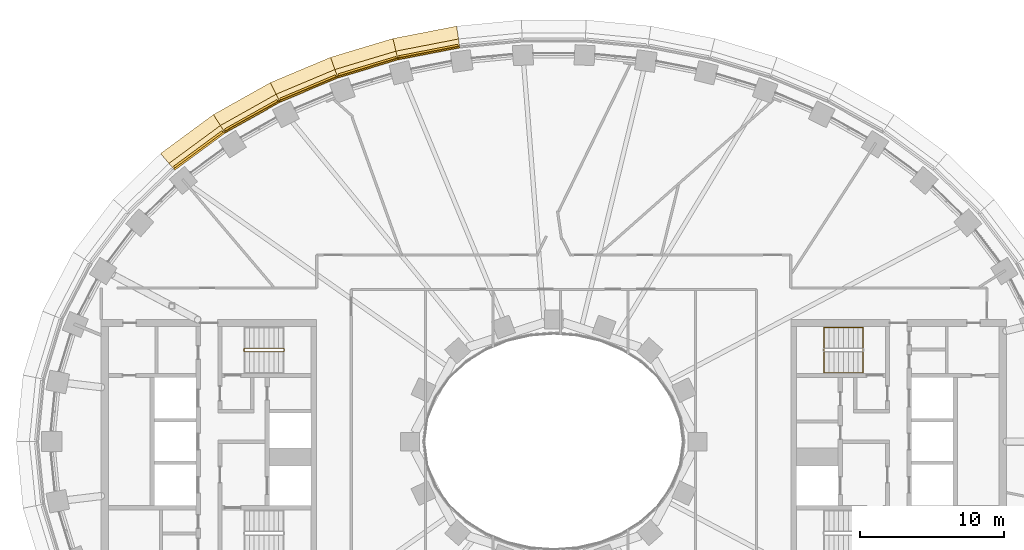
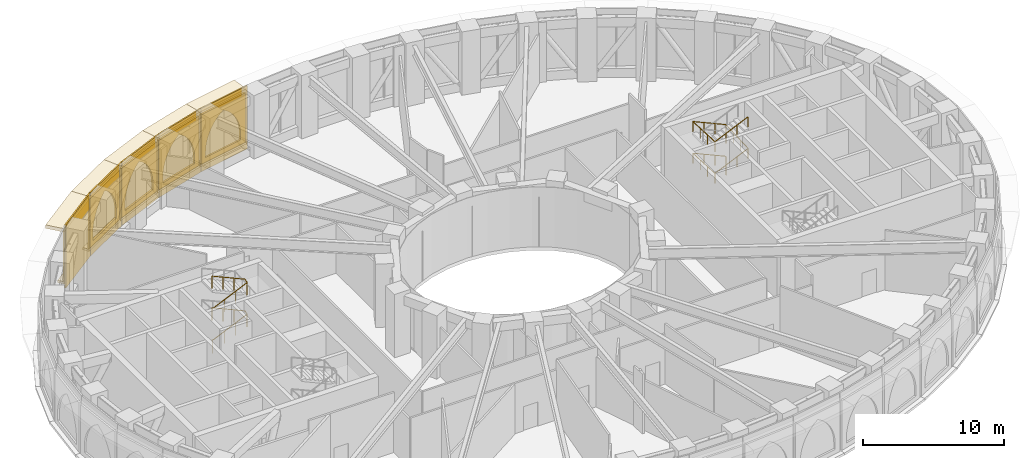
# One storey, part 23 of 25: 20 coverings, 2 railings.
"""IFC4 building model written with IfcOpenShell, lengths in metres."""

from ifc_helpers import new_model, si_unit, direction, frame, origin, origin_2d, place, context, subcontext, project, spatial, polyline, rectangle, outline, extrude, material, layer, layer_set, type_object, element, save


model = new_model("IFC4")

# Units and contexts
model_context = context("Model", 3, precision=1e-05, world=origin(), true_north=direction((0.0, 1.0)))
body_context = subcontext(model_context, "Body", "Model", "MODEL_VIEW")
ifc_project = project(units=[si_unit("LENGTHUNIT", "METRE"), si_unit("AREAUNIT", "SQUARE_METRE"), si_unit("VOLUMEUNIT", "CUBIC_METRE"), si_unit("PLANEANGLEUNIT", "RADIAN"), si_unit("MASSUNIT", "GRAM", prefix="KILO")], contexts=[model_context])

# Site, building, storey
site_placement = place(None, origin())
site = spatial("IfcSite", under=ifc_project, at=site_placement, CompositionType="ELEMENT")
building_placement = place(site_placement, origin())
building = spatial("IfcBuilding", under=site, at=building_placement, Name="Noorbagh Ring Tower", CompositionType="ELEMENT")
storey_placement = place(building_placement, frame((0.0, 0.0, 82.5)))
storey = spatial("IfcBuildingStorey", under=building, at=storey_placement, Name="L18", CompositionType="ELEMENT", Elevation=82.5)

# Railings
ifc_material_1 = material(Name="Stainless steel", Category="steel")
railing_type_1 = type_object("IfcRailingType", Name="CORE-STAIR-GUARD", PredefinedType="GUARDRAIL", material=ifc_material_1)
railing_1_placement = place(storey_placement, frame((-21.580078125, 6.300048828125, 0.0)))
element("IfcRailing", 1, at=railing_1_placement, inside=storey, type_object=railing_type_1, Name="L18 ST1 stair guard", PredefinedType="GUARDRAIL", context=body_context, shape_type="SweptSolid", body=[
    extrude(rectangle(XDim=0.048095703125, YDim=0.048095703125, at=origin_2d()), frame((0.0, 0.0, 1.076171875), z_axis=(0.0, 1.0, 0.0), x_axis=(-1.0, 0.0, 0.0)), (0.0, 0.0, 1.0), 0.14990234375),
    extrude(rectangle(XDim=0.048095703125, YDim=0.048095703125, at=origin_2d()), frame((0.0, 0.14990234375, 1.076171875), z_axis=(0.195046945594, -0.779236333862, 0.595606770449), x_axis=(0.970072785993, 0.242814311512, 0.0)), (0.0, 0.0, 1.0), 0.256591796875),
    extrude(rectangle(XDim=0.048095703125, YDim=0.048095703125, at=origin_2d()), frame((0.050048828125, -0.050048828125, 1.22900390625), z_axis=(0.912149621895, 0.0, 0.409857374312), x_axis=(0.0, 1.0, 0.0)), (0.0, 0.0, 1.0), 2.98193359375),
    extrude(rectangle(XDim=0.048095703125, YDim=0.048095703125, at=origin_2d()), frame((2.77001953125, -0.050048828125, 2.451171875), z_axis=(0.707106781187, 0.707106781187, 0.0), x_axis=(-0.707106781187, 0.707106781187, 0.0)), (0.0, 0.0, 1.0), 0.07080078125),
    extrude(rectangle(XDim=0.048095703125, YDim=0.048095703125, at=origin_2d()), frame((2.820068359375, 0.0, 2.451171875), z_axis=(0.0, 1.0, 0.0), x_axis=(-1.0, 0.0, 0.0)), (0.0, 0.0, 1.0), 0.14990234375),
    extrude(rectangle(XDim=0.048095703125, YDim=0.048095703125, at=origin_2d()), frame((2.820068359375, 0.14990234375, 2.451171875), z_axis=(-0.297155754911, 0.297155754911, 0.90741220768), x_axis=(-0.707106781187, -0.707106781187, 0.0)), (0.0, 0.0, 1.0), 0.16845703125),
    extrude(rectangle(XDim=0.048095703125, YDim=0.048095703125, at=origin_2d()), frame((2.77001953125, 0.199951171875, 2.60400390625), z_axis=(-0.912149621895, 0.0, 0.409857374312), x_axis=(0.0, -1.0, 0.0)), (0.0, 0.0, 1.0), 2.98193359375),
    extrude(rectangle(XDim=0.048095703125, YDim=0.048095703125, at=origin_2d()), frame((0.050048828125, 0.199951171875, 3.826171875), z_axis=(-0.242814311512, -0.970072785993, 0.0), x_axis=(0.970072785993, -0.242814311512, 0.0)), (0.0, 0.0, 1.0), 0.2060546875),
    extrude(rectangle(XDim=0.048095703125, YDim=0.048095703125, at=origin_2d()), frame((0.0, 0.0, 3.826171875), z_axis=(0.0, 1.0, 0.0), x_axis=(-1.0, 0.0, 0.0)), (0.0, 0.0, 1.0), 0.14990234375),
    extrude(rectangle(XDim=0.048095703125, YDim=0.048095703125, at=origin_2d()), frame((0.0, 0.14990234375, 3.826171875), z_axis=(0.195046945594, -0.779236333862, 0.595606770449), x_axis=(0.970072785993, 0.242814311512, 0.0)), (0.0, 0.0, 1.0), 0.256591796875),
    extrude(rectangle(XDim=0.048095703125, YDim=0.048095703125, at=origin_2d()), frame((0.050048828125, -0.050048828125, 3.97900390625), z_axis=(0.912149621895, 0.0, 0.409857374312), x_axis=(0.0, 1.0, 0.0)), (0.0, 0.0, 1.0), 2.98193359375),
    extrude(rectangle(XDim=0.048095703125, YDim=0.048095703125, at=origin_2d()), frame((2.77001953125, -0.050048828125, 5.201171875), z_axis=(0.707106781187, 0.707106781187, 0.0), x_axis=(-0.707106781187, 0.707106781187, 0.0)), (0.0, 0.0, 1.0), 0.07080078125),
    extrude(rectangle(XDim=0.048095703125, YDim=0.048095703125, at=origin_2d()), frame((2.820068359375, 0.0, 5.201171875), z_axis=(0.0, 1.0, 0.0), x_axis=(-1.0, 0.0, 0.0)), (0.0, 0.0, 1.0), 0.14990234375),
    extrude(rectangle(XDim=0.048095703125, YDim=0.048095703125, at=origin_2d()), frame((2.820068359375, 0.14990234375, 5.201171875), z_axis=(-0.297155754911, 0.297155754911, 0.90741220768), x_axis=(-0.707106781187, -0.707106781187, 0.0)), (0.0, 0.0, 1.0), 0.16845703125),
    extrude(rectangle(XDim=0.048095703125, YDim=0.048095703125, at=origin_2d()), frame((2.77001953125, 0.199951171875, 5.35400390625), z_axis=(-0.912149621895, 0.0, 0.409857374312), x_axis=(0.0, -1.0, 0.0)), (0.0, 0.0, 1.0), 2.98193359375),
    extrude(rectangle(XDim=0.0419921875, YDim=0.0419921875, at=origin_2d()), origin(), (0.0, 0.0, 1.0), 1.052001953125),
    extrude(rectangle(XDim=0.0419921875, YDim=0.0419921875, at=origin_2d()), frame((0.956787109375, -0.050048828125, 0.560302734375)), (0.0, 0.0, 1.0), 1.052001953125),
    extrude(rectangle(XDim=0.0419921875, YDim=0.0419921875, at=origin_2d()), frame((1.86328125, -0.050048828125, 0.967529296875)), (0.0, 0.0, 1.0), 1.052001953125),
    extrude(rectangle(XDim=0.0419921875, YDim=0.0419921875, at=origin_2d()), frame((2.77001953125, -0.050048828125, 1.375)), (0.0, 0.0, 1.0), 1.052001953125),
    extrude(rectangle(XDim=0.0419921875, YDim=0.0419921875, at=origin_2d()), frame((1.86328125, 0.199951171875, 1.935302734375)), (0.0, 0.0, 1.0), 1.052001953125),
    extrude(rectangle(XDim=0.0419921875, YDim=0.0419921875, at=origin_2d()), frame((0.956787109375, 0.199951171875, 2.342529296875)), (0.0, 0.0, 1.0), 1.052001953125),
    extrude(rectangle(XDim=0.0419921875, YDim=0.0419921875, at=origin_2d()), frame((0.050048828125, 0.199951171875, 2.75)), (0.0, 0.0, 1.0), 1.052001953125),
    extrude(rectangle(XDim=0.0419921875, YDim=0.0419921875, at=origin_2d()), frame((0.956787109375, -0.050048828125, 3.310302734375)), (0.0, 0.0, 1.0), 1.052001953125),
    extrude(rectangle(XDim=0.0419921875, YDim=0.0419921875, at=origin_2d()), frame((1.86328125, -0.050048828125, 3.717529296875)), (0.0, 0.0, 1.0), 1.052001953125),
    extrude(rectangle(XDim=0.0419921875, YDim=0.0419921875, at=origin_2d()), frame((2.77001953125, -0.050048828125, 4.125)), (0.0, 0.0, 1.0), 1.052001953125),
    extrude(rectangle(XDim=0.0419921875, YDim=0.0419921875, at=origin_2d()), frame((1.86328125, 0.199951171875, 4.685302734375)), (0.0, 0.0, 1.0), 1.052001953125),
    extrude(rectangle(XDim=0.0419921875, YDim=0.0419921875, at=origin_2d()), frame((0.956787109375, 0.199951171875, 5.092529296875)), (0.0, 0.0, 1.0), 1.052001953125),
    extrude(rectangle(XDim=0.0419921875, YDim=0.0419921875, at=origin_2d()), frame((0.050048828125, 0.199951171875, 5.5)), (0.0, 0.0, 1.0), 1.052001953125),
])
ifc_material_2 = material(Name="Stainless steel", Category="steel")
railing_type_2 = type_object("IfcRailingType", Name="CORE-STAIR-HANDRAIL", PredefinedType="HANDRAIL", material=ifc_material_2)
railing_2_placement = place(storey_placement, frame((21.530029296875, 7.949951171875, 0.15283203125)))
element("IfcRailing", 2, at=railing_2_placement, inside=storey, type_object=railing_type_2, Name="L18 ST3 stair handrail", PredefinedType="HANDRAIL", context=body_context, shape_type="SweptSolid", body=[
    extrude(rectangle(XDim=0.048095703125, YDim=0.048095703125, at=origin_2d()), frame((0.0, 0.0, 0.8759765625), z_axis=(-0.912149621895, 0.0, 0.409857374312), x_axis=(0.0, -1.0, 0.0)), (0.0, 0.0, 1.0), 2.98193359375),
    extrude(rectangle(XDim=0.048095703125, YDim=0.048095703125, at=origin_2d()), frame((-2.719970703125, 0.0, 2.09814453125), z_axis=(0.0, -0.998824997948, 0.048462598722), x_axis=(1.0, 0.0, 0.0)), (0.0, 0.0, 1.0), 3.153564453125),
    extrude(rectangle(XDim=0.048095703125, YDim=0.048095703125, at=origin_2d()), frame((-2.719970703125, -3.14990234375, 2.2509765625), z_axis=(0.912149621895, 0.0, 0.409857374312), x_axis=(0.0, 1.0, 0.0)), (0.0, 0.0, 1.0), 2.98193359375),
    extrude(rectangle(XDim=0.048095703125, YDim=0.048095703125, at=origin_2d()), frame((0.0, -3.14990234375, 3.47314453125), z_axis=(0.0, 0.998824997948, 0.048462598722), x_axis=(-1.0, 0.0, 0.0)), (0.0, 0.0, 1.0), 3.153564453125),
    extrude(rectangle(XDim=0.048095703125, YDim=0.048095703125, at=origin_2d()), frame((0.0, 0.0, 3.6259765625), z_axis=(-0.912149621895, 0.0, 0.409857374312), x_axis=(0.0, -1.0, 0.0)), (0.0, 0.0, 1.0), 2.98193359375),
    extrude(rectangle(XDim=0.048095703125, YDim=0.048095703125, at=origin_2d()), frame((-2.719970703125, 0.0, 4.84814453125), z_axis=(0.0, -0.998824997948, 0.048462598722), x_axis=(1.0, 0.0, 0.0)), (0.0, 0.0, 1.0), 3.153564453125),
    extrude(rectangle(XDim=0.048095703125, YDim=0.048095703125, at=origin_2d()), frame((-2.719970703125, -3.14990234375, 5.0009765625), z_axis=(0.912149621895, 0.0, 0.409857374312), x_axis=(0.0, 1.0, 0.0)), (0.0, 0.0, 1.0), 2.98193359375),
    extrude(rectangle(XDim=0.0419921875, YDim=0.0419921875, at=origin_2d()), origin(), (0.0, 0.0, 1.0), 0.851806640625),
    extrude(rectangle(XDim=0.0419921875, YDim=0.0419921875, at=origin_2d()), frame((-0.90673828125, 0.0, 0.407470703125)), (0.0, 0.0, 1.0), 0.851806640625),
    extrude(rectangle(XDim=0.0419921875, YDim=0.0419921875, at=origin_2d()), frame((-1.813232421875, 0.0, 0.814697265625)), (0.0, 0.0, 1.0), 0.851806640625),
    extrude(rectangle(XDim=0.0419921875, YDim=0.0419921875, at=origin_2d()), frame((-2.719970703125, 0.0, 1.22216796875)), (0.0, 0.0, 1.0), 0.851806640625),
    extrude(rectangle(XDim=0.0419921875, YDim=0.0419921875, at=origin_2d()), frame((-2.719970703125, -1.050048828125, 1.273193359375)), (0.0, 0.0, 1.0), 0.851806640625),
    extrude(rectangle(XDim=0.0419921875, YDim=0.0419921875, at=origin_2d()), frame((-2.719970703125, -2.099853515625, 1.323974609375)), (0.0, 0.0, 1.0), 0.851806640625),
    extrude(rectangle(XDim=0.0419921875, YDim=0.0419921875, at=origin_2d()), frame((-2.719970703125, -3.14990234375, 1.375)), (0.0, 0.0, 1.0), 0.851806640625),
    extrude(rectangle(XDim=0.0419921875, YDim=0.0419921875, at=origin_2d()), frame((-1.813232421875, -3.14990234375, 1.782470703125)), (0.0, 0.0, 1.0), 0.851806640625),
    extrude(rectangle(XDim=0.0419921875, YDim=0.0419921875, at=origin_2d()), frame((-0.90673828125, -3.14990234375, 2.189697265625)), (0.0, 0.0, 1.0), 0.851806640625),
    extrude(rectangle(XDim=0.0419921875, YDim=0.0419921875, at=origin_2d()), frame((0.0, -3.14990234375, 2.59716796875)), (0.0, 0.0, 1.0), 0.851806640625),
    extrude(rectangle(XDim=0.0419921875, YDim=0.0419921875, at=origin_2d()), frame((0.0, -2.099853515625, 2.648193359375)), (0.0, 0.0, 1.0), 0.851806640625),
    extrude(rectangle(XDim=0.0419921875, YDim=0.0419921875, at=origin_2d()), frame((0.0, -1.050048828125, 2.698974609375)), (0.0, 0.0, 1.0), 0.851806640625),
    extrude(rectangle(XDim=0.0419921875, YDim=0.0419921875, at=origin_2d()), frame((0.0, 0.0, 2.75)), (0.0, 0.0, 1.0), 0.851806640625),
    extrude(rectangle(XDim=0.0419921875, YDim=0.0419921875, at=origin_2d()), frame((-0.90673828125, 0.0, 3.157470703125)), (0.0, 0.0, 1.0), 0.851806640625),
    extrude(rectangle(XDim=0.0419921875, YDim=0.0419921875, at=origin_2d()), frame((-1.813232421875, 0.0, 3.564697265625)), (0.0, 0.0, 1.0), 0.851806640625),
    extrude(rectangle(XDim=0.0419921875, YDim=0.0419921875, at=origin_2d()), frame((-2.719970703125, 0.0, 3.97216796875)), (0.0, 0.0, 1.0), 0.851806640625),
    extrude(rectangle(XDim=0.0419921875, YDim=0.0419921875, at=origin_2d()), frame((-2.719970703125, -1.050048828125, 4.023193359375)), (0.0, 0.0, 1.0), 0.851806640625),
    extrude(rectangle(XDim=0.0419921875, YDim=0.0419921875, at=origin_2d()), frame((-2.719970703125, -2.099853515625, 4.073974609375)), (0.0, 0.0, 1.0), 0.851806640625),
    extrude(rectangle(XDim=0.0419921875, YDim=0.0419921875, at=origin_2d()), frame((-2.719970703125, -3.14990234375, 4.125)), (0.0, 0.0, 1.0), 0.851806640625),
    extrude(rectangle(XDim=0.0419921875, YDim=0.0419921875, at=origin_2d()), frame((-1.813232421875, -3.14990234375, 4.532470703125)), (0.0, 0.0, 1.0), 0.851806640625),
    extrude(rectangle(XDim=0.0419921875, YDim=0.0419921875, at=origin_2d()), frame((-0.90673828125, -3.14990234375, 4.939697265625)), (0.0, 0.0, 1.0), 0.851806640625),
    extrude(rectangle(XDim=0.0419921875, YDim=0.0419921875, at=origin_2d()), frame((0.0, -3.14990234375, 5.34716796875)), (0.0, 0.0, 1.0), 0.851806640625),
])

# Coverings
ifc_material_3 = material(Name="Aluminium 6063-T6 black anodised", Category="aluminium")
ifc_layer_1 = layer(ifc_material_3, 0.1201171875)
ifc_layer_set_1 = layer_set([ifc_layer_1], Name="Aluminium 6063-T6 black anodised")
covering_type_1 = type_object("IfcCoveringType", Name="ENV-LOUVRE-BAND", PredefinedType="CLADDING", material=ifc_layer_set_1)
covering_1_placement = place(storey_placement, frame((-8.700927734375, 27.053955078125, -0.300048828125), z_axis=(0.0, 0.0, 1.0), x_axis=(-0.981624952922, -0.190820470077, 0.0)))
element("IfcCovering", 3, at=covering_1_placement, inside=storey, type_object=covering_type_1, Name="Louvre screen chord 14", ObjectType="LOUVRE", PredefinedType="CLADDING", context=body_context, shape_type="SweptSolid", body=[
    extrude(rectangle(XDim=4.349853515625, YDim=0.1201171875, at=origin_2d()), origin(), (0.0, 0.0, 1.0), 5.5),
])
covering_2_placement = place(storey_placement, frame((-12.947998046875, 26.0048828125, -0.300048828125), z_axis=(0.0, 0.0, 1.0), x_axis=(-0.957577925467, -0.28817445525, 0.0)))
element("IfcCovering", 4, at=covering_2_placement, inside=storey, type_object=covering_type_1, Name="Louvre screen chord 15", ObjectType="LOUVRE", PredefinedType="CLADDING", context=body_context, shape_type="SweptSolid", body=[
    extrude(rectangle(XDim=4.349609375, YDim=0.1201171875, at=origin_2d()), origin(), (0.0, 0.0, 1.0), 5.5),
])
covering_3_placement = place(storey_placement, frame((-17.0634765625, 24.52490234375, -0.300048828125), z_axis=(0.0, 0.0, 1.0), x_axis=(-0.921811566494, -0.387638279686, 0.0)))
element("IfcCovering", 5, at=covering_3_placement, inside=storey, type_object=covering_type_1, Name="Louvre screen chord 16", ObjectType="LOUVRE", PredefinedType="CLADDING", context=body_context, shape_type="SweptSolid", body=[
    extrude(rectangle(XDim=4.349365234375, YDim=0.1201171875, at=origin_2d()), origin(), (0.0, 0.0, 1.0), 5.5),
])
covering_4_placement = place(storey_placement, frame((-20.990966796875, 22.604736328125, -0.300048828125), z_axis=(0.0, 0.0, 1.0), x_axis=(-0.872044586249, -0.48942643941, 0.0)))
element("IfcCovering", 6, at=covering_4_placement, inside=storey, type_object=covering_type_1, Name="Louvre screen chord 17", ObjectType="LOUVRE", PredefinedType="CLADDING", context=body_context, shape_type="SweptSolid", body=[
    extrude(rectangle(XDim=4.34912109375, YDim=0.1201171875, at=origin_2d()), origin(), (0.0, 0.0, 1.0), 5.5),
])
covering_5_placement = place(storey_placement, frame((-24.662109375, 20.2353515625, -0.300048828125), z_axis=(0.0, 0.0, 1.0), x_axis=(-0.805153045326, -0.593067090304, 0.0)))
element("IfcCovering", 7, at=covering_5_placement, inside=storey, type_object=covering_type_1, Name="Louvre screen chord 18", ObjectType="LOUVRE", PredefinedType="CLADDING", context=body_context, shape_type="SweptSolid", body=[
    extrude(rectangle(XDim=4.3486328125, YDim=0.1201171875, at=origin_2d()), origin(), (0.0, 0.0, 1.0), 5.5),
])
ifc_material_4 = material(Name="Red sandstone cladding", Category="masonry")
ifc_layer_2 = layer(ifc_material_4, 0.14990234375)
ifc_layer_set_2 = layer_set([ifc_layer_2], Name="Red sandstone cladding")
covering_type_2 = type_object("IfcCoveringType", Name="STYLE-BAND-ARCADE", PredefinedType="USERDEFINED", material=ifc_layer_set_2)
covering_6_placement = place(storey_placement, frame((-6.6865234375, 27.659423828125, 0.25), z_axis=(-0.190819708322, 0.981625101001, 0.0), x_axis=(-0.981625101001, -0.190819708322, 0.0)))
element("IfcCovering", 8, at=covering_6_placement, inside=storey, type_object=covering_type_2, Name="Blind arch bay of the band", ObjectType="ARCH", PredefinedType="USERDEFINED", context=body_context, shape_type="SweptSolid", body=[
    extrude(outline(polyline([(0.0, 0.0), (4.186279296875, 0.0), (4.186279296875, 4.300048828125), (0.0, 4.300048828125), (0.0, 0.0)]), holes=[polyline([(0.449951171875, 0.39990234375), (0.449951171875, 0.904052734375), (0.47802734375, 1.3330078125), (0.56201171875, 1.754638671875), (0.7001953125, 2.16162109375), (0.890380859375, 2.547119140625), (1.129150390625, 2.90478515625), (1.41259765625, 3.227783203125), (1.735595703125, 3.51123046875), (2.093017578125, 3.75), (2.450439453125, 3.51123046875), (2.773681640625, 3.227783203125), (3.05712890625, 2.90478515625), (3.2958984375, 2.547119140625), (3.486083984375, 2.16162109375), (3.624267578125, 1.754638671875), (3.7080078125, 1.3330078125), (3.736083984375, 0.904052734375), (3.736083984375, 0.39990234375), (0.449951171875, 0.39990234375)])]), origin(), (0.0, 0.0, -1.0), 0.14990234375),
])
covering_7_placement = place(storey_placement, frame((-11.00439453125, 26.80908203125, 0.25), z_axis=(-0.288182515773, 0.957575499688, 0.0), x_axis=(-0.957575499688, -0.288182515773, 0.0)))
element("IfcCovering", 9, at=covering_7_placement, inside=storey, type_object=covering_type_2, Name="Blind arch bay of the band", ObjectType="ARCH", PredefinedType="USERDEFINED", context=body_context, shape_type="SweptSolid", body=[
    extrude(outline(polyline([(0.0, 0.0), (4.185791015625, 0.0), (4.185791015625, 4.300048828125), (0.0, 4.300048828125), (0.0, 0.0)]), holes=[polyline([(0.449951171875, 0.39990234375), (0.449951171875, 0.904296875), (0.47802734375, 1.333251953125), (0.56201171875, 1.7548828125), (0.7001953125, 2.161865234375), (0.890380859375, 2.54736328125), (1.129150390625, 2.90478515625), (1.41259765625, 3.227783203125), (1.735595703125, 3.51123046875), (2.093017578125, 3.75), (2.450439453125, 3.51123046875), (2.773681640625, 3.227783203125), (3.056884765625, 2.90478515625), (3.2958984375, 2.54736328125), (3.48583984375, 2.161865234375), (3.6240234375, 1.7548828125), (3.7080078125, 1.333251953125), (3.736083984375, 0.904296875), (3.736083984375, 0.39990234375), (0.449951171875, 0.39990234375)])]), origin(), (0.0, 0.0, -1.0), 0.14990234375),
])
covering_8_placement = place(storey_placement, frame((-15.215576171875, 25.52978515625, 0.25), z_axis=(-0.387624121421, 0.92181752017, 0.0), x_axis=(-0.92181752017, -0.387624121421, 0.0)))
element("IfcCovering", 10, at=covering_8_placement, inside=storey, type_object=covering_type_2, Name="Blind arch bay of the band", ObjectType="ARCH", PredefinedType="USERDEFINED", context=body_context, shape_type="SweptSolid", body=[
    extrude(outline(polyline([(0.0, 0.0), (4.185791015625, 0.0), (4.185791015625, 4.300048828125), (0.0, 4.300048828125), (0.0, 0.0)]), holes=[polyline([(0.449951171875, 0.39990234375), (0.449951171875, 0.904541015625), (0.47802734375, 1.33349609375), (0.56201171875, 1.7548828125), (0.7001953125, 2.161865234375), (0.89013671875, 2.54736328125), (1.12890625, 2.90478515625), (1.412353515625, 3.227783203125), (1.735595703125, 3.51123046875), (2.093017578125, 3.75), (2.4501953125, 3.51123046875), (2.7734375, 3.227783203125), (3.056884765625, 2.90478515625), (3.295654296875, 2.54736328125), (3.485595703125, 2.161865234375), (3.623779296875, 1.7548828125), (3.707763671875, 1.33349609375), (3.73583984375, 0.904541015625), (3.73583984375, 0.39990234375), (0.449951171875, 0.39990234375)])]), origin(), (0.0, 0.0, -1.0), 0.14990234375),
])
covering_9_placement = place(storey_placement, frame((-19.268798828125, 23.81201171875, 0.25), z_axis=(-0.489402470802, 0.872058037961, 0.0), x_axis=(-0.872058037961, -0.489402470802, 0.0)))
element("IfcCovering", 11, at=covering_9_placement, inside=storey, type_object=covering_type_2, Name="Blind arch bay of the band", ObjectType="ARCH", PredefinedType="USERDEFINED", context=body_context, shape_type="SweptSolid", body=[
    extrude(outline(polyline([(0.0, 0.0), (4.185302734375, 0.0), (4.185302734375, 4.300048828125), (0.0, 4.300048828125), (0.0, 0.0)]), holes=[polyline([(0.449951171875, 0.39990234375), (0.449951171875, 0.90478515625), (0.47802734375, 1.33349609375), (0.56201171875, 1.755126953125), (0.7001953125, 2.162109375), (0.89013671875, 2.547607421875), (1.12890625, 2.90478515625), (1.412353515625, 3.22802734375), (1.7353515625, 3.51123046875), (2.0927734375, 3.75), (2.4501953125, 3.51123046875), (2.773193359375, 3.22802734375), (3.056396484375, 2.90478515625), (3.29541015625, 2.547607421875), (3.4853515625, 2.162109375), (3.62353515625, 1.755126953125), (3.70751953125, 1.33349609375), (3.735595703125, 0.90478515625), (3.735595703125, 0.39990234375), (0.449951171875, 0.39990234375)])]), origin(), (0.0, 0.0, -1.0), 0.14990234375),
])
covering_10_placement = place(storey_placement, frame((-23.10205078125, 21.645263671875, 0.25), z_axis=(-0.593079629262, 0.805143809114, 0.0), x_axis=(-0.805143809114, -0.593079629262, 0.0)))
element("IfcCovering", 12, at=covering_10_placement, inside=storey, type_object=covering_type_2, Name="Blind arch bay of the band", ObjectType="ARCH", PredefinedType="USERDEFINED", context=body_context, shape_type="SweptSolid", body=[
    extrude(outline(polyline([(0.0, 0.0), (4.184814453125, 0.0), (4.184814453125, 4.300048828125), (0.0, 4.300048828125), (0.0, 0.0)]), holes=[polyline([(0.449951171875, 0.39990234375), (0.449951171875, 0.9052734375), (0.47802734375, 1.333984375), (0.56201171875, 1.75537109375), (0.7001953125, 2.162353515625), (0.89013671875, 2.547607421875), (1.12890625, 2.905029296875), (1.412109375, 3.22802734375), (1.735107421875, 3.511474609375), (2.092529296875, 3.75), (2.44970703125, 3.511474609375), (2.772705078125, 3.22802734375), (3.05615234375, 2.905029296875), (3.294921875, 2.547607421875), (3.48486328125, 2.162353515625), (3.623046875, 1.75537109375), (3.706787109375, 1.333984375), (3.73486328125, 0.9052734375), (3.73486328125, 0.39990234375), (0.449951171875, 0.39990234375)])]), origin(), (0.0, 0.0, -1.0), 0.14990234375),
])
ifc_material_5 = material(Name="Red sandstone eave", Category="masonry")
covering_type_3 = type_object("IfcCoveringType", Name="STYLE-BAND-EAVE", PredefinedType="USERDEFINED", material=ifc_material_5)
covering_11_placement = place(storey_placement, frame((0.0, 0.0, 4.550048828125)))
element("IfcCovering", 13, at=covering_11_placement, inside=storey, type_object=covering_type_3, Name="Chhajja eave", ObjectType="CHHAJJA", PredefinedType="USERDEFINED", context=body_context, shape_type="SweptSolid", body=[
    extrude(outline(polyline([(-6.559814453125, 27.53125), (-10.865234375, 26.6943359375), (-11.201416015625, 28.05517578125), (-6.76025390625, 28.91845703125), (-6.559814453125, 27.53125)])), origin(), (0.0, 0.0, 1.0), 0.300048828125),
])
covering_12_placement = place(storey_placement, frame((0.0, 0.0, 4.550048828125)))
element("IfcCovering", 14, at=covering_12_placement, inside=storey, type_object=covering_type_3, Name="Chhajja eave", ObjectType="CHHAJJA", PredefinedType="USERDEFINED", context=body_context, shape_type="SweptSolid", body=[
    extrude(outline(polyline([(-10.865234375, 26.6943359375), (-15.065185546875, 25.430419921875), (-15.539794921875, 26.74951171875), (-11.201416015625, 28.05517578125), (-10.865234375, 26.6943359375)])), origin(), (0.0, 0.0, 1.0), 0.300048828125),
])
covering_13_placement = place(storey_placement, frame((0.0, 0.0, 4.550048828125)))
element("IfcCovering", 15, at=covering_13_placement, inside=storey, type_object=covering_type_3, Name="Chhajja eave", ObjectType="CHHAJJA", PredefinedType="USERDEFINED", context=body_context, shape_type="SweptSolid", body=[
    extrude(outline(polyline([(-15.065185546875, 25.430419921875), (-19.108154296875, 23.730224609375), (-19.72412109375, 24.989990234375), (-15.539794921875, 26.74951171875), (-15.065185546875, 25.430419921875)])), origin(), (0.0, 0.0, 1.0), 0.300048828125),
])
covering_14_placement = place(storey_placement, frame((0.0, 0.0, 4.550048828125)))
element("IfcCovering", 16, at=covering_14_placement, inside=storey, type_object=covering_type_3, Name="Chhajja eave", ObjectType="CHHAJJA", PredefinedType="USERDEFINED", context=body_context, shape_type="SweptSolid", body=[
    extrude(outline(polyline([(-19.108154296875, 23.730224609375), (-22.9326171875, 21.583740234375), (-23.693115234375, 22.762451171875), (-19.72412109375, 24.989990234375), (-19.108154296875, 23.730224609375)])), origin(), (0.0, 0.0, 1.0), 0.300048828125),
])
covering_15_placement = place(storey_placement, frame((0.0, 0.0, 4.550048828125)))
element("IfcCovering", 17, at=covering_15_placement, inside=storey, type_object=covering_type_3, Name="Chhajja eave", ObjectType="CHHAJJA", PredefinedType="USERDEFINED", context=body_context, shape_type="SweptSolid", body=[
    extrude(outline(polyline([(-22.9326171875, 21.583740234375), (-26.463134765625, 18.9833984375), (-27.3701171875, 20.053955078125), (-23.693115234375, 22.762451171875), (-22.9326171875, 21.583740234375)])), origin(), (0.0, 0.0, 1.0), 0.300048828125),
])
ifc_material_6 = material(Name="Red sandstone eave", Category="masonry")
covering_type_4 = type_object("IfcCoveringType", Name="STYLE-BAND-SILL", PredefinedType="USERDEFINED", material=ifc_material_6)
covering_16_placement = place(storey_placement, frame((0.0, 0.0, 0.050048828125)))
element("IfcCovering", 18, at=covering_16_placement, inside=storey, type_object=covering_type_4, Name="Sill ledge", ObjectType="CHHAJJA", PredefinedType="USERDEFINED", context=body_context, shape_type="SweptSolid", body=[
    extrude(outline(polyline([(-6.559814453125, 27.53125), (-10.865234375, 26.6943359375), (-10.9853515625, 27.180419921875), (-6.63134765625, 28.026611328125), (-6.559814453125, 27.53125)])), origin(), (0.0, 0.0, 1.0), 0.199951171875),
])
covering_17_placement = place(storey_placement, frame((0.0, 0.0, 0.050048828125)))
element("IfcCovering", 19, at=covering_17_placement, inside=storey, type_object=covering_type_4, Name="Sill ledge", ObjectType="CHHAJJA", PredefinedType="USERDEFINED", context=body_context, shape_type="SweptSolid", body=[
    extrude(outline(polyline([(-10.865234375, 26.6943359375), (-15.065185546875, 25.430419921875), (-15.234619140625, 25.901611328125), (-10.9853515625, 27.180419921875), (-10.865234375, 26.6943359375)])), origin(), (0.0, 0.0, 1.0), 0.199951171875),
])
covering_18_placement = place(storey_placement, frame((0.0, 0.0, 0.050048828125)))
element("IfcCovering", 20, at=covering_18_placement, inside=storey, type_object=covering_type_4, Name="Sill ledge", ObjectType="CHHAJJA", PredefinedType="USERDEFINED", context=body_context, shape_type="SweptSolid", body=[
    extrude(outline(polyline([(-15.065185546875, 25.430419921875), (-19.108154296875, 23.730224609375), (-19.328125, 24.18017578125), (-15.234619140625, 25.901611328125), (-15.065185546875, 25.430419921875)])), origin(), (0.0, 0.0, 1.0), 0.199951171875),
])
covering_19_placement = place(storey_placement, frame((0.0, 0.0, 0.050048828125)))
element("IfcCovering", 21, at=covering_19_placement, inside=storey, type_object=covering_type_4, Name="Sill ledge", ObjectType="CHHAJJA", PredefinedType="USERDEFINED", context=body_context, shape_type="SweptSolid", body=[
    extrude(outline(polyline([(-19.108154296875, 23.730224609375), (-22.9326171875, 21.583740234375), (-23.2041015625, 22.004638671875), (-19.328125, 24.18017578125), (-19.108154296875, 23.730224609375)])), origin(), (0.0, 0.0, 1.0), 0.199951171875),
])
covering_20_placement = place(storey_placement, frame((0.0, 0.0, 0.050048828125)))
element("IfcCovering", 22, at=covering_20_placement, inside=storey, type_object=covering_type_4, Name="Sill ledge", ObjectType="CHHAJJA", PredefinedType="USERDEFINED", context=body_context, shape_type="SweptSolid", body=[
    extrude(outline(polyline([(-22.9326171875, 21.583740234375), (-26.463134765625, 18.9833984375), (-26.787109375, 19.365478515625), (-23.2041015625, 22.004638671875), (-22.9326171875, 21.583740234375)])), origin(), (0.0, 0.0, 1.0), 0.199951171875),
])

save(model, "model.ifc")
